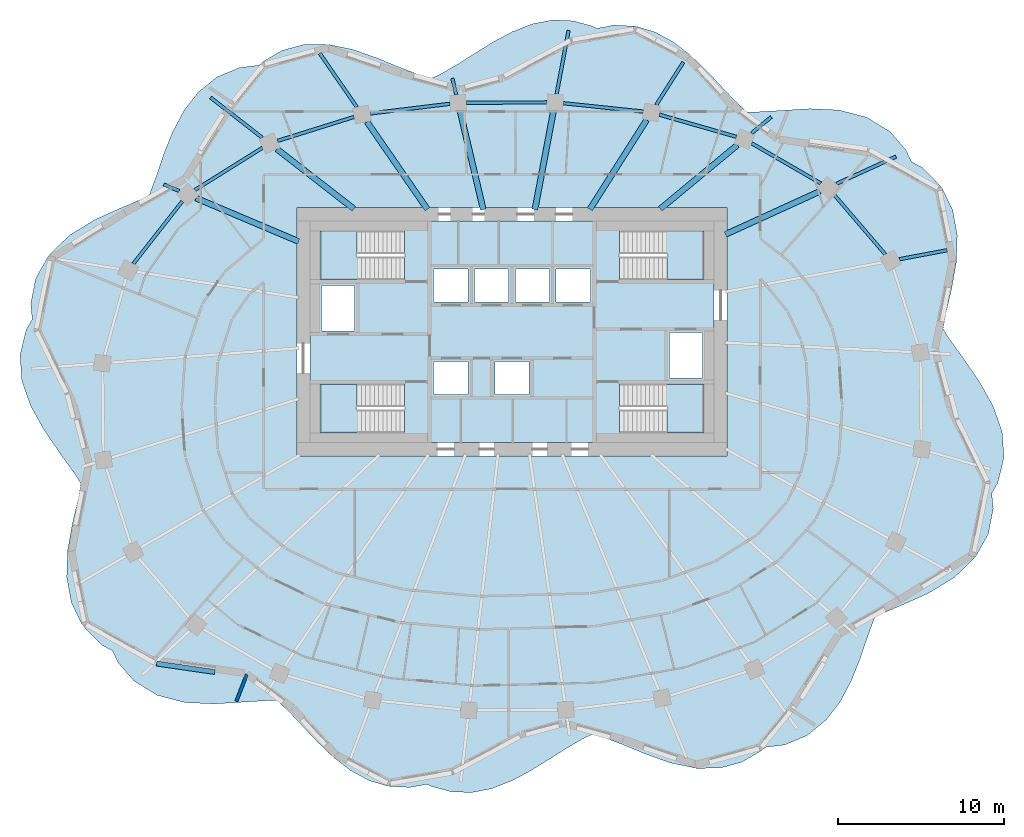
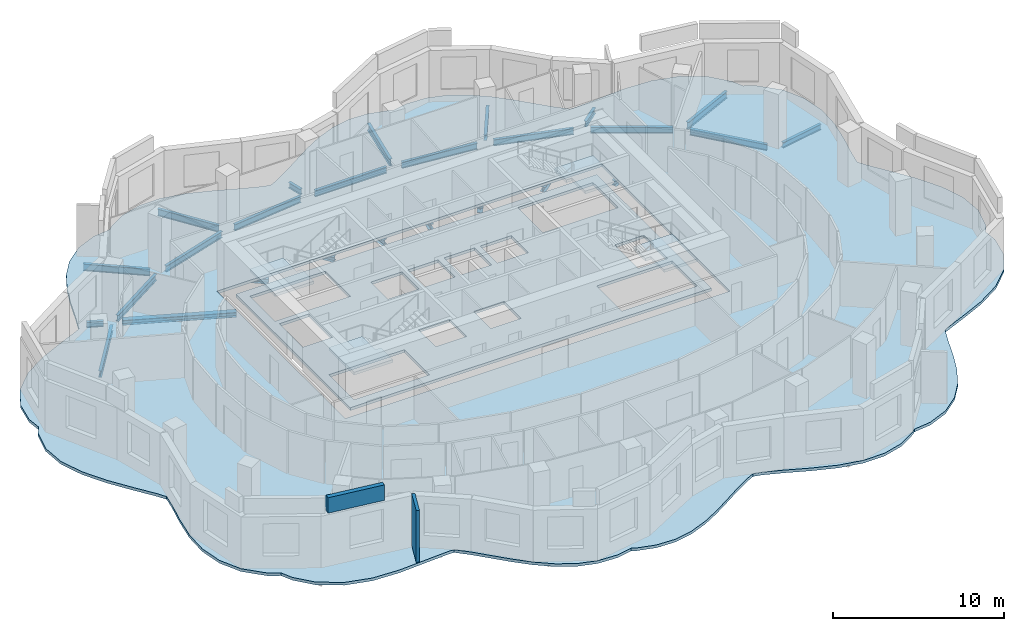
# One storey, part 2 of 11: 26 beams, 6 slabs, 2 walls, 4 elements without a shape of their own.
"""IFC4 building model written with IfcOpenShell, lengths in metres."""

from ifc_helpers import new_model, si_unit, direction, frame, frame_2d, origin, origin_2d, place, context, subcontext, project, spatial, polyline, rectangle, i_section, outline, extrude, material, layer, layer_set, material_profile, profile_set, type_object, element, aggregate, save


model = new_model("IFC4")

# Units and contexts
model_context = context("Model", 3, precision=1e-05, world=origin(), true_north=direction((0.0, 1.0)))
body_context = subcontext(model_context, "Body", "Model", "MODEL_VIEW")
ifc_project = project(units=[si_unit("LENGTHUNIT", "METRE"), si_unit("AREAUNIT", "SQUARE_METRE"), si_unit("VOLUMEUNIT", "CUBIC_METRE"), si_unit("PLANEANGLEUNIT", "RADIAN"), si_unit("MASSUNIT", "GRAM", prefix="KILO")], contexts=[model_context])

# Site, building, storey
site_placement = place(None, origin())
site = spatial("IfcSite", under=ifc_project, at=site_placement, CompositionType="ELEMENT")
building_placement = place(site_placement, origin())
building = spatial("IfcBuilding", under=site, at=building_placement, Name="Rubra Terraces Tower", CompositionType="ELEMENT")
storey_placement = place(building_placement, frame((0.0, 0.0, 237.0)))
storey = spatial("IfcBuildingStorey", under=building, at=storey_placement, Name="L58", CompositionType="ELEMENT", Elevation=237.0)

# Beams
ifc_material_1 = material(Name="Steel Q355B", Category="steel")
ifc_material_profile_1 = material_profile(ifc_material_1, i_section(OverallWidth=0.199951171875, OverallDepth=0.39990234375, WebThickness=0.008056640625, FlangeThickness=0.012939453125, at=origin_2d()), Name="HN 400x200x8x13")
ifc_profile_set_1 = profile_set([ifc_material_profile_1], Name="Steel Q355B")
beam_type_1 = type_object("IfcBeamType", Name="CANTILEVER BEAM HN 400x200x8x13", PredefinedType="BEAM", material=ifc_profile_set_1)
beam_1_placement = place(storey_placement, frame((23.39794921875, 8.884033203125, -0.39990234375), z_axis=(0.982856170911, 0.184373933356, 0.0), x_axis=(-0.184373933356, 0.982856170911, 0.0)))
element("IfcBeam", 1, at=beam_1_placement, inside=storey, type_object=beam_type_1, Name="beam-L58-cant-02", PredefinedType="BEAM", context=body_context, shape_type="SweptSolid", body=[
    extrude(i_section(OverallWidth=0.199951171875, OverallDepth=0.39990234375, WebThickness=0.008056640625, FlangeThickness=0.012939453125, at=origin_2d()), origin(), (0.0, 0.0, 1.0), 2.934326171875),
])
beam_2_placement = place(storey_placement, frame((14.47509765625, 16.4951171875, -0.39990234375), z_axis=(0.769894720429, 0.638170917119, 0.0), x_axis=(-0.638170917119, 0.769894720429, 0.0)))
element("IfcBeam", 2, at=beam_2_placement, inside=storey, type_object=beam_type_1, Name="beam-L58-cant-04", PredefinedType="BEAM", context=body_context, shape_type="SweptSolid", body=[
    extrude(i_section(OverallWidth=0.199951171875, OverallDepth=0.39990234375, WebThickness=0.008056640625, FlangeThickness=0.012939453125, at=origin_2d()), origin(), (0.0, 0.0, 1.0), 1.540283203125),
])
beam_3_placement = place(storey_placement, frame((8.7099609375, 18.201904296875, -0.39990234375), z_axis=(0.536555231363, 0.843865204696, 0.0), x_axis=(-0.843865204696, 0.536555231363, 0.0)))
element("IfcBeam", 3, at=beam_3_placement, inside=storey, type_object=beam_type_1, Name="beam-L58-cant-05", PredefinedType="BEAM", context=body_context, shape_type="SweptSolid", body=[
    extrude(i_section(OverallWidth=0.199951171875, OverallDepth=0.39990234375, WebThickness=0.008056640625, FlangeThickness=0.012939453125, at=origin_2d()), origin(), (0.0, 0.0, 1.0), 3.05859375),
])
ifc_material_profile_2 = material_profile(ifc_material_1, i_section(OverallWidth=0.198974609375, OverallDepth=0.49609375, WebThickness=0.009033203125, FlangeThickness=0.013916015625, at=origin_2d()), Name="HN 496x199x9x14")
ifc_profile_set_2 = profile_set([ifc_material_profile_2], Name="Steel Q355B")
beam_type_2 = type_object("IfcBeamType", Name="CANTILEVER BEAM HN 496x199x9x14", PredefinedType="BEAM", material=ifc_profile_set_2)
beam_4_placement = place(storey_placement, frame((19.596923828125, 13.43896484375, -0.447998046875), z_axis=(0.909745347317, 0.415166717157, 0.0), x_axis=(-0.415166717157, 0.909745347317, 0.0)))
element("IfcBeam", 4, at=beam_4_placement, inside=storey, type_object=beam_type_2, Name="beam-L58-cant-03", PredefinedType="BEAM", context=body_context, shape_type="SweptSolid", body=[
    extrude(i_section(OverallWidth=0.198974609375, OverallDepth=0.49609375, WebThickness=0.009033203125, FlangeThickness=0.013916015625, at=origin_2d()), origin(), (0.0, 0.0, 1.0), 3.950439453125),
])
beam_5_placement = place(storey_placement, frame((2.695068359375, 18.85400390625, -0.447998046875), z_axis=(0.184533441982, 0.982826235298, 0.0), x_axis=(-0.982826235298, 0.184533441982, 0.0)))
element("IfcBeam", 5, at=beam_5_placement, inside=storey, type_object=beam_type_2, Name="beam-L58-cant-06", PredefinedType="BEAM", context=body_context, shape_type="SweptSolid", body=[
    extrude(i_section(OverallWidth=0.198974609375, OverallDepth=0.49609375, WebThickness=0.009033203125, FlangeThickness=0.013916015625, at=origin_2d()), origin(), (0.0, 0.0, 1.0), 3.912109375),
])
beam_6_placement = place(storey_placement, frame((-9.3701171875, 18.070068359375, -0.447998046875), z_axis=(-0.568216621414, 0.822879013676, 0.0), x_axis=(-0.822879013676, -0.568216621414, 0.0)))
element("IfcBeam", 6, at=beam_6_placement, inside=storey, type_object=beam_type_2, Name="beam-L58-cant-08", PredefinedType="BEAM", context=body_context, shape_type="SweptSolid", body=[
    extrude(i_section(OverallWidth=0.198974609375, OverallDepth=0.49609375, WebThickness=0.009033203125, FlangeThickness=0.013916015625, at=origin_2d()), origin(), (0.0, 0.0, 1.0), 3.95068359375),
])
beam_7_placement = place(storey_placement, frame((-15.087890625, 16.22705078125, -0.447998046875), z_axis=(-0.789618379303, 0.61359825217, 0.0), x_axis=(-0.61359825217, -0.789618379303, 0.0)))
element("IfcBeam", 7, at=beam_7_placement, inside=storey, type_object=beam_type_2, Name="beam-L58-cant-09", PredefinedType="BEAM", context=body_context, shape_type="SweptSolid", body=[
    extrude(i_section(OverallWidth=0.198974609375, OverallDepth=0.49609375, WebThickness=0.009033203125, FlangeThickness=0.013916015625, at=origin_2d()), origin(), (0.0, 0.0, 1.0), 3.9501953125),
])
ifc_material_profile_3 = material_profile(ifc_material_1, i_section(OverallWidth=0.199951171875, OverallDepth=0.39990234375, WebThickness=0.008056640625, FlangeThickness=0.012939453125, at=origin_2d()), Name="HN 400x200x8x13")
ifc_profile_set_3 = profile_set([ifc_material_profile_3], Name="Steel Q355B")
beam_type_3 = type_object("IfcBeamType", Name="CANTILEVER STUB HN 400x200x8x13", PredefinedType="BEAM", material=ifc_profile_set_3)
beam_8_placement = place(storey_placement, frame((-3.3701171875, 18.823974609375, -0.39990234375), z_axis=(-0.228798709465, 0.973473754421, 0.0), x_axis=(-0.973473754421, -0.228798709465, 0.0)))
element("IfcBeam", 8, at=beam_8_placement, inside=storey, type_object=beam_type_3, Name="beam-L58-cant-07", PredefinedType="BEAM", context=body_context, shape_type="SweptSolid", body=[
    extrude(i_section(OverallWidth=0.199951171875, OverallDepth=0.39990234375, WebThickness=0.008056640625, FlangeThickness=0.012939453125, at=origin_2d()), origin(), (0.0, 0.0, 1.0), 1.01806640625),
])
beam_9_placement = place(storey_placement, frame((-20.10205078125, 13.0048828125, -0.39990234375), z_axis=(-0.920750248857, 0.390152507654, 0.0), x_axis=(-0.390152507654, -0.920750248857, 0.0)))
element("IfcBeam", 9, at=beam_9_placement, inside=storey, type_object=beam_type_3, Name="beam-L58-cant-10", PredefinedType="BEAM", context=body_context, shape_type="SweptSolid", body=[
    extrude(i_section(OverallWidth=0.199951171875, OverallDepth=0.39990234375, WebThickness=0.008056640625, FlangeThickness=0.012939453125, at=origin_2d()), origin(), (0.0, 0.0, 1.0), 1.010009765625),
])
ifc_material_profile_4 = material_profile(ifc_material_1, i_section(OverallWidth=0.35009765625, OverallDepth=0.35009765625, WebThickness=0.011962890625, FlangeThickness=0.01904296875, at=origin_2d()), Name="HW 350x350x12x19")
ifc_profile_set_4 = profile_set([ifc_material_profile_4], Name="Steel Q355B")
beam_type_4 = type_object("IfcBeamType", Name="FLOOR BEAM HW 350x350x12x19", PredefinedType="BEAM", material=ifc_profile_set_4)
beam_10_placement = place(storey_placement, frame((18.5869140625, 12.97900390625, -0.375), z_axis=(-0.909756526533, -0.415142219523, 0.0), x_axis=(0.415142219523, -0.909756526533, 0.0)))
element("IfcBeam", 10, at=beam_10_placement, inside=storey, type_object=beam_type_4, Name="beam-L58-floor-03", PredefinedType="BEAM", context=body_context, shape_type="SweptSolid", body=[
    extrude(i_section(OverallWidth=0.35009765625, OverallDepth=0.35009765625, WebThickness=0.011962890625, FlangeThickness=0.01904296875, at=origin_2d()), origin(), (0.0, 0.0, 1.0), 6.2607421875),
])
beam_11_placement = place(storey_placement, frame((13.60888671875, 15.777099609375, -0.375), z_axis=(-0.769987518392, -0.638058948312, 0.0), x_axis=(0.638058948312, -0.769987518392, 0.0)))
element("IfcBeam", 11, at=beam_11_placement, inside=storey, type_object=beam_type_4, Name="beam-L58-floor-04", PredefinedType="BEAM", context=body_context, shape_type="SweptSolid", body=[
    extrude(i_section(OverallWidth=0.35009765625, OverallDepth=0.35009765625, WebThickness=0.011962890625, FlangeThickness=0.01904296875, at=origin_2d()), origin(), (0.0, 0.0, 1.0), 6.040283203125),
])
beam_12_placement = place(storey_placement, frame((8.134033203125, 17.2958984375, -0.375), z_axis=(-0.536509861106, -0.843894050776, 0.0), x_axis=(0.843894050776, -0.536509861106, 0.0)))
element("IfcBeam", 12, at=beam_12_placement, inside=storey, type_object=beam_type_4, Name="beam-L58-floor-05", PredefinedType="BEAM", context=body_context, shape_type="SweptSolid", body=[
    extrude(i_section(OverallWidth=0.35009765625, OverallDepth=0.35009765625, WebThickness=0.011962890625, FlangeThickness=0.01904296875, at=origin_2d()), origin(), (0.0, 0.0, 1.0), 6.395263671875),
])
beam_13_placement = place(storey_placement, frame((2.509033203125, 17.862060546875, -0.375), z_axis=(-0.184574398021, -0.982818544593, 0.0), x_axis=(0.982818544593, -0.184574398021, 0.0)))
element("IfcBeam", 13, at=beam_13_placement, inside=storey, type_object=beam_type_4, Name="beam-L58-floor-06", PredefinedType="BEAM", context=body_context, shape_type="SweptSolid", body=[
    extrude(i_section(OverallWidth=0.35009765625, OverallDepth=0.35009765625, WebThickness=0.011962890625, FlangeThickness=0.01904296875, at=origin_2d()), origin(), (0.0, 0.0, 1.0), 6.08447265625),
])
beam_14_placement = place(storey_placement, frame((-3.137939453125, 17.8359375, -0.375), z_axis=(0.229070485592, -0.973409837957, 0.0), x_axis=(0.973409837957, 0.229070485592, 0.0)))
element("IfcBeam", 14, at=beam_14_placement, inside=storey, type_object=beam_type_4, Name="beam-L58-floor-07", PredefinedType="BEAM", context=body_context, shape_type="SweptSolid", body=[
    extrude(i_section(OverallWidth=0.35009765625, OverallDepth=0.35009765625, WebThickness=0.011962890625, FlangeThickness=0.01904296875, at=origin_2d()), origin(), (0.0, 0.0, 1.0), 6.115478515625),
])
beam_15_placement = place(storey_placement, frame((-8.756103515625, 17.179931640625, -0.375), z_axis=(0.568186422001, -0.822899866238, 0.0), x_axis=(0.822899866238, 0.568186422001, 0.0)))
element("IfcBeam", 15, at=beam_15_placement, inside=storey, type_object=beam_type_4, Name="beam-L58-floor-08", PredefinedType="BEAM", context=body_context, shape_type="SweptSolid", body=[
    extrude(i_section(OverallWidth=0.35009765625, OverallDepth=0.35009765625, WebThickness=0.011962890625, FlangeThickness=0.01904296875, at=origin_2d()), origin(), (0.0, 0.0, 1.0), 6.415283203125),
])
beam_16_placement = place(storey_placement, frame((-14.197998046875, 15.534912109375, -0.375), z_axis=(0.789548898228, -0.613687654517, 0.0), x_axis=(0.613687654517, 0.789548898228, 0.0)))
element("IfcBeam", 16, at=beam_16_placement, inside=storey, type_object=beam_type_4, Name="beam-L58-floor-09", PredefinedType="BEAM", context=body_context, shape_type="SweptSolid", body=[
    extrude(i_section(OverallWidth=0.35009765625, OverallDepth=0.35009765625, WebThickness=0.011962890625, FlangeThickness=0.01904296875, at=origin_2d()), origin(), (0.0, 0.0, 1.0), 5.880615234375),
])
beam_17_placement = place(storey_placement, frame((-19.083984375, 12.574951171875, -0.375), z_axis=(0.92097476483, -0.38962223056, 0.0), x_axis=(0.38962223056, 0.92097476483, 0.0)))
element("IfcBeam", 17, at=beam_17_placement, inside=storey, type_object=beam_type_4, Name="beam-L58-floor-10", PredefinedType="BEAM", context=body_context, shape_type="SweptSolid", body=[
    extrude(i_section(OverallWidth=0.35009765625, OverallDepth=0.35009765625, WebThickness=0.011962890625, FlangeThickness=0.01904296875, at=origin_2d()), origin(), (0.0, 0.0, 1.0), 6.7265625),
])
ifc_material_profile_5 = material_profile(ifc_material_1, i_section(OverallWidth=0.198974609375, OverallDepth=0.446044921875, WebThickness=0.008056640625, FlangeThickness=0.011962890625, at=origin_2d()), Name="HN 446x199x8x12")
ifc_profile_set_5 = profile_set([ifc_material_profile_5], Name="Steel Q355B")
beam_type_5 = type_object("IfcBeamType", Name="SPANDREL BEAM HN 446x199x8x12", PredefinedType="SPANDREL", material=ifc_profile_set_5)
beam_18_placement = place(storey_placement, frame((22.547119140625, 9.174072265625, -0.423095703125), z_axis=(-0.650372836218, 0.759615148552, 0.0), x_axis=(-0.759615148552, -0.650372836218, 0.0)))
element("IfcBeam", 18, at=beam_18_placement, inside=storey, type_object=beam_type_5, Name="beam-L58-spandrel-02", PredefinedType="SPANDREL", context=body_context, shape_type="SweptSolid", body=[
    extrude(i_section(OverallWidth=0.198974609375, OverallDepth=0.446044921875, WebThickness=0.008056640625, FlangeThickness=0.011962890625, at=origin_2d()), origin(), (0.0, 0.0, 1.0), 4.804931640625),
])
beam_19_placement = place(storey_placement, frame((18.653076171875, 13.462890625, -0.423095703125), z_axis=(-0.865153680787, 0.501506838059, 0.0), x_axis=(-0.501506838059, -0.865153680787, 0.0)))
element("IfcBeam", 19, at=beam_19_placement, inside=storey, type_object=beam_type_5, Name="beam-L58-spandrel-03", PredefinedType="SPANDREL", context=body_context, shape_type="SweptSolid", body=[
    extrude(i_section(OverallWidth=0.198974609375, OverallDepth=0.446044921875, WebThickness=0.008056640625, FlangeThickness=0.011962890625, at=origin_2d()), origin(), (0.0, 0.0, 1.0), 4.82568359375),
])
beam_20_placement = place(storey_placement, frame((13.55810546875, 16.27490234375, -0.423095703125), z_axis=(-0.961171164323, 0.275952881621, 0.0), x_axis=(-0.275952881621, -0.961171164323, 0.0)))
element("IfcBeam", 20, at=beam_20_placement, inside=storey, type_object=beam_type_5, Name="beam-L58-spandrel-04", PredefinedType="SPANDREL", context=body_context, shape_type="SweptSolid", body=[
    extrude(i_section(OverallWidth=0.198974609375, OverallDepth=0.446044921875, WebThickness=0.008056640625, FlangeThickness=0.011962890625, at=origin_2d()), origin(), (0.0, 0.0, 1.0), 4.842041015625),
])
beam_21_placement = place(storey_placement, frame((7.923095703125, 17.801025390625, -0.423095703125), z_axis=(-0.994565426955, 0.104113454971, 0.0), x_axis=(-0.104113454971, -0.994565426955, 0.0)))
element("IfcBeam", 21, at=beam_21_placement, inside=storey, type_object=beam_type_5, Name="beam-L58-spandrel-05", PredefinedType="SPANDREL", context=body_context, shape_type="SweptSolid", body=[
    extrude(i_section(OverallWidth=0.198974609375, OverallDepth=0.446044921875, WebThickness=0.008056640625, FlangeThickness=0.011962890625, at=origin_2d()), origin(), (0.0, 0.0, 1.0), 4.849365234375),
])
beam_22_placement = place(storey_placement, frame((2.10107421875, 18.35595703125, -0.423095703125), z_axis=(-0.999987852299, -0.004929021704, 0.0), x_axis=(0.004929021704, -0.999987852299, 0.0)))
element("IfcBeam", 22, at=beam_22_placement, inside=storey, type_object=beam_type_5, Name="beam-L58-spandrel-06", PredefinedType="SPANDREL", context=body_context, shape_type="SweptSolid", body=[
    extrude(i_section(OverallWidth=0.198974609375, OverallDepth=0.446044921875, WebThickness=0.008056640625, FlangeThickness=0.011962890625, at=origin_2d()), origin(), (0.0, 0.0, 1.0), 4.85400390625),
])
beam_23_placement = place(storey_placement, frame((-3.7509765625, 18.27001953125, -0.423095703125), z_axis=(-0.992698018573, -0.120626049929, 0.0), x_axis=(0.120626049929, -0.992698018573, 0.0)))
element("IfcBeam", 23, at=beam_23_placement, inside=storey, type_object=beam_type_5, Name="beam-L58-spandrel-07", PredefinedType="SPANDREL", context=body_context, shape_type="SweptSolid", body=[
    extrude(i_section(OverallWidth=0.198974609375, OverallDepth=0.446044921875, WebThickness=0.008056640625, FlangeThickness=0.011962890625, at=origin_2d()), origin(), (0.0, 0.0, 1.0), 4.849365234375),
])
beam_24_placement = place(storey_placement, frame((-9.5419921875, 17.47509765625, -0.423095703125), z_axis=(-0.954462027342, -0.298332429282, 0.0), x_axis=(0.298332429282, -0.954462027342, 0.0)))
element("IfcBeam", 24, at=beam_24_placement, inside=storey, type_object=beam_type_5, Name="beam-L58-spandrel-08", PredefinedType="SPANDREL", context=body_context, shape_type="SweptSolid", body=[
    extrude(i_section(OverallWidth=0.198974609375, OverallDepth=0.446044921875, WebThickness=0.008056640625, FlangeThickness=0.011962890625, at=origin_2d()), origin(), (0.0, 0.0, 1.0), 4.840576171875),
])
beam_25_placement = place(storey_placement, frame((-15.071044921875, 15.614013671875, -0.423095703125), z_axis=(-0.848183088492, -0.529703170083, 0.0), x_axis=(0.529703170083, -0.848183088492, 0.0)))
element("IfcBeam", 25, at=beam_25_placement, inside=storey, type_object=beam_type_5, Name="beam-L58-spandrel-09", PredefinedType="SPANDREL", context=body_context, shape_type="SweptSolid", body=[
    extrude(i_section(OverallWidth=0.198974609375, OverallDepth=0.446044921875, WebThickness=0.008056640625, FlangeThickness=0.011962890625, at=origin_2d()), origin(), (0.0, 0.0, 1.0), 4.8232421875),
])
beam_26_placement = place(storey_placement, frame((-19.906005859375, 12.39111328125, -0.423095703125), z_axis=(-0.617060338015, -0.786915840004, 0.0), x_axis=(0.786915840004, -0.617060338015, 0.0)))
element("IfcBeam", 26, at=beam_26_placement, inside=storey, type_object=beam_type_5, Name="beam-L58-spandrel-10", PredefinedType="SPANDREL", context=body_context, shape_type="SweptSolid", body=[
    extrude(i_section(OverallWidth=0.198974609375, OverallDepth=0.446044921875, WebThickness=0.008056640625, FlangeThickness=0.011962890625, at=origin_2d()), origin(), (0.0, 0.0, 1.0), 4.8037109375),
])

# Slab
ifc_material_2 = material(Name="Concrete C40", Category="concrete")
ifc_layer_1 = layer(ifc_material_2, 0.199951171875)
ifc_layer_set_1 = layer_set([ifc_layer_1], Name="Concrete C40")
slab_type_1 = type_object("IfcSlabType", Name="Core floor slab 200 concrete", PredefinedType="FLOOR", material=ifc_layer_set_1)
slab_1_placement = place(storey_placement, frame((0.0, 0.0, -0.199951171875)))
element("IfcSlab", 27, at=slab_1_placement, inside=storey, type_object=slab_type_1, Name="CORE FLOOR SLAB L58", PredefinedType="FLOOR", context=body_context, shape_type="SweptSolid", body=[
    extrude(outline(polyline([(-12.199951171875, -2.199951171875), (-12.199951171875, 11.199951171875), (12.199951171875, 11.199951171875), (12.199951171875, -2.199951171875), (-12.199951171875, -2.199951171875)]), holes=[polyline([(11.597900390625, 1.347900390625), (6.501953125, 1.347900390625), (6.501953125, -1.597900390625), (11.597900390625, -1.597900390625), (11.597900390625, 1.347900390625)]), polyline([(11.597900390625, 7.652099609375), (11.597900390625, 10.597900390625), (6.501953125, 10.597900390625), (6.501953125, 7.652099609375), (11.597900390625, 7.652099609375)]), polyline([(9.5, 1.699951171875), (11.5, 1.699951171875), (11.5, 4.449951171875), (9.5, 4.449951171875), (9.5, 1.699951171875)]), polyline([(4.75, 6.300048828125), (4.75, 8.300048828125), (2.64990234375, 8.300048828125), (2.64990234375, 6.300048828125), (4.75, 6.300048828125)]), polyline([(2.25, 8.300048828125), (0.199951171875, 8.300048828125), (0.199951171875, 6.300048828125), (2.25, 6.300048828125), (2.25, 8.300048828125)]), polyline([(1.02490234375, 0.699951171875), (1.02490234375, 2.699951171875), (-1.02490234375, 2.699951171875), (-1.02490234375, 0.699951171875), (1.02490234375, 0.699951171875)]), polyline([(-0.199951171875, 6.300048828125), (-0.199951171875, 8.300048828125), (-2.25, 8.300048828125), (-2.25, 6.300048828125), (-0.199951171875, 6.300048828125)]), polyline([(-4.75, 8.300048828125), (-4.75, 6.300048828125), (-2.64990234375, 6.300048828125), (-2.64990234375, 8.300048828125), (-4.75, 8.300048828125)]), polyline([(-2.64990234375, 0.699951171875), (-2.64990234375, 2.699951171875), (-4.75, 2.699951171875), (-4.75, 0.699951171875), (-2.64990234375, 0.699951171875)]), polyline([(-11.597900390625, -1.597900390625), (-6.501953125, -1.597900390625), (-6.501953125, 1.347900390625), (-11.597900390625, 1.347900390625), (-11.597900390625, -1.597900390625)]), polyline([(-11.597900390625, 10.597900390625), (-11.597900390625, 7.652099609375), (-6.501953125, 7.652099609375), (-6.501953125, 10.597900390625), (-11.597900390625, 10.597900390625)]), polyline([(-9.5, 4.550048828125), (-9.5, 7.300048828125), (-11.5, 7.300048828125), (-11.5, 4.550048828125), (-9.5, 4.550048828125)])]), origin(), (0.0, 0.0, 1.0), 0.199951171875),
])

# Stair, slab
stair_type = type_object("IfcStairType", Name="Core stair 1400", PredefinedType="HALF_TURN_STAIR", material=ifc_material_2)
stair_1_placement = place(storey_placement, origin())
stair_1 = element("IfcStair", 28, at=stair_1_placement, inside=storey, type_object=stair_type, Name="L58 Exit stair S1", PredefinedType="HALF_TURN_STAIR")
ifc_layer_2 = layer(ifc_material_2, 0.199951171875)
ifc_layer_set_2 = layer_set([ifc_layer_2], Name="Concrete C40")
slab_type_2 = type_object("IfcSlabType", Name="Core stair landing 200", PredefinedType="LANDING", material=ifc_layer_set_2)
slab_2_placement = place(storey_placement, frame((0.0, 0.0, 1.75)))
slab_2 = element("IfcSlab", 29, at=slab_2_placement, type_object=slab_type_2, Name="S1 landing 1", PredefinedType="LANDING", context=body_context, shape_type="SweptSolid", body=[
    extrude(outline(polyline([(-8.97998046875, -0.199951171875), (-8.97998046875, -1.60009765625), (-9.360107421875, -1.60009765625), (-9.3798828125, -1.60009765625), (-11.60009765625, -1.60009765625), (-11.60009765625, 1.35009765625), (-9.3798828125, 1.35009765625), (-9.35791015625, 1.35009765625), (-9.35791015625, -0.050048828125), (-9.360107421875, -0.050048828125), (-9.360107421875, -0.199951171875), (-8.97998046875, -0.199951171875)])), origin(), (0.0, 0.0, 1.0), 0.199951171875),
])
aggregate(stair_1, [slab_2])

stair_2_placement = place(storey_placement, origin())
stair_2 = element("IfcStair", 30, at=stair_2_placement, inside=storey, type_object=stair_type, Name="L58 Exit stair S2", PredefinedType="HALF_TURN_STAIR")
slab_3_placement = place(storey_placement, frame((0.0, 0.0, 1.75)))
slab_3 = element("IfcSlab", 31, at=slab_3_placement, type_object=slab_type_2, Name="S2 landing 1", PredefinedType="LANDING", context=body_context, shape_type="SweptSolid", body=[
    extrude(outline(polyline([(-8.97998046875, 9.050048828125), (-8.97998046875, 7.64990234375), (-9.3798828125, 7.64990234375), (-11.60009765625, 7.64990234375), (-11.60009765625, 10.60009765625), (-9.3798828125, 10.60009765625), (-9.360107421875, 10.60009765625), (-9.35791015625, 10.60009765625), (-9.35791015625, 9.199951171875), (-9.360107421875, 9.199951171875), (-9.360107421875, 9.050048828125), (-8.97998046875, 9.050048828125)])), origin(), (0.0, 0.0, 1.0), 0.199951171875),
])
aggregate(stair_2, [slab_3])

stair_3_placement = place(storey_placement, origin())
stair_3 = element("IfcStair", 32, at=stair_3_placement, inside=storey, type_object=stair_type, Name="L58 Exit stair S3", PredefinedType="HALF_TURN_STAIR")
slab_4_placement = place(storey_placement, frame((0.0, 0.0, 1.75)))
slab_4 = element("IfcSlab", 33, at=slab_4_placement, type_object=slab_type_2, Name="S3 landing 1", PredefinedType="LANDING", context=body_context, shape_type="SweptSolid", body=[
    extrude(outline(polyline([(9.360107421875, 9.050048828125), (9.360107421875, 9.199951171875), (8.97998046875, 9.199951171875), (8.97998046875, 10.60009765625), (9.360107421875, 10.60009765625), (9.3798828125, 10.60009765625), (11.60009765625, 10.60009765625), (11.60009765625, 7.64990234375), (9.3798828125, 7.64990234375), (9.35791015625, 7.64990234375), (9.35791015625, 9.050048828125), (9.360107421875, 9.050048828125)])), origin(), (0.0, 0.0, 1.0), 0.199951171875),
])
aggregate(stair_3, [slab_4])

stair_4_placement = place(storey_placement, origin())
stair_4 = element("IfcStair", 34, at=stair_4_placement, inside=storey, type_object=stair_type, Name="L58 Exit stair S4", PredefinedType="HALF_TURN_STAIR")
slab_5_placement = place(storey_placement, frame((0.0, 0.0, 1.75)))
slab_5 = element("IfcSlab", 35, at=slab_5_placement, type_object=slab_type_2, Name="S4 landing 1", PredefinedType="LANDING", context=body_context, shape_type="SweptSolid", body=[
    extrude(outline(polyline([(9.360107421875, -0.199951171875), (9.360107421875, -0.050048828125), (8.97998046875, -0.050048828125), (8.97998046875, 1.35009765625), (9.360107421875, 1.35009765625), (9.3798828125, 1.35009765625), (11.60009765625, 1.35009765625), (11.60009765625, -1.60009765625), (9.3798828125, -1.60009765625), (9.360107421875, -1.60009765625), (9.35791015625, -1.60009765625), (9.35791015625, -0.199951171875), (9.360107421875, -0.199951171875)])), origin(), (0.0, 0.0, 1.0), 0.199951171875),
])
aggregate(stair_4, [slab_5])

# Slab
ifc_layer_3 = layer(ifc_material_2, 0.199951171875)
ifc_layer_set_3 = layer_set([ifc_layer_3], Name="Concrete C40")
slab_type_3 = type_object("IfcSlabType", Name="FLOOR SLAB 200 COMPOSITE", PredefinedType="FLOOR", material=ifc_layer_set_3)
slab_6_placement = place(storey_placement, frame((0.0, 0.0, -0.199951171875)))
element("IfcSlab", 36, at=slab_6_placement, inside=storey, type_object=slab_type_3, Name="FLOOR SLAB L58", PredefinedType="FLOOR", context=body_context, shape_type="SweptSolid", body=[
    extrude(outline(polyline([(15.10009765625, -20.782958984375), (15.297119140625, -20.60009765625), (16.469970703125, -20.4541015625), (17.81298828125, -19.89404296875), (18.964111328125, -18.964111328125), (19.81591796875, -17.863037109375), (20.489013671875, -16.59912109375), (21.01904296875, -15.27099609375), (21.498046875, -13.864990234375), (21.919921875, -12.72900390625), (22.05810546875, -12.64990234375), (23.56298828125, -12.006103515625), (25.175048828125, -11.283935546875), (26.72509765625, -10.337890625), (28.0, -9.097900390625), (28.77099609375, -7.715087890625), (29.072021484375, -6.176025390625), (28.97998046875, -5.259033203125), (29.337890625, -4.64697265625), (29.717041015625, -3.10107421875), (29.60595703125, -1.52587890625), (29.06689453125, 0.0), (28.240966796875, 1.47998046875), (27.278076171875, 2.87890625), (26.34912109375, 4.173095703125), (26.041015625, 4.68603515625), (26.18994140625, 5.527099609375), (26.551025390625, 7.068115234375), (26.843994140625, 8.721923828125), (26.89794921875, 10.322021484375), (26.618896484375, 11.860107421875), (25.9541015625, 13.22412109375), (24.791015625, 14.4169921875), (24.135986328125, 14.76708984375), (23.7900390625, 15.491943359375), (22.839111328125, 16.593017578125), (21.4150390625, 17.4619140625), (19.748046875, 17.89501953125), (17.97607421875, 17.97607421875), (16.18408203125, 17.864013671875), (14.509033203125, 17.763916015625), (14.173095703125, 17.787109375), (13.430908203125, 18.487060546875), (12.596923828125, 19.3779296875), (11.72509765625, 20.303955078125), (10.798095703125, 21.19189453125), (9.7509765625, 22.001953125), (8.634033203125, 22.60888671875), (7.4599609375, 22.958984375), (6.156982421875, 23.02197265625), (5.1279296875, 22.8291015625), (4.843994140625, 22.967041015625), (3.68701171875, 23.281982421875), (2.450927734375, 23.33203125), (1.217041015625, 23.095947265625), (0.0, 22.616943359375), (-1.110107421875, 22.02294921875), (-2.2041015625, 21.34912109375), (-3.27392578125, 20.6708984375), (-4.283935546875, 20.08203125), (-4.864013671875, 19.80908203125), (-4.2451171875, 19.64501953125), (-5.419921875, 19.9560546875), (-6.633056640625, 20.4130859375), (-8.09912109375, 21.01806640625), (-9.613037109375, 21.552001953125), (-11.14208984375, 21.866943359375), (-12.552978515625, 21.85595703125), (-13.886962890625, 21.4951171875), (-15.10009765625, 20.782958984375), (-15.297119140625, 20.60009765625), (-16.469970703125, 20.4541015625), (-17.81298828125, 19.89404296875), (-18.964111328125, 18.964111328125), (-19.81591796875, 17.863037109375), (-20.489013671875, 16.59912109375), (-21.01904296875, 15.27099609375), (-21.498046875, 13.864990234375), (-21.919921875, 12.72900390625), (-22.05810546875, 12.64990234375), (-23.56298828125, 12.006103515625), (-25.175048828125, 11.283935546875), (-26.72509765625, 10.337890625), (-28.0, 9.097900390625), (-28.77099609375, 7.715087890625), (-29.072021484375, 6.176025390625), (-28.97998046875, 5.259033203125), (-29.337890625, 4.64697265625), (-29.717041015625, 3.10107421875), (-29.60595703125, 1.52587890625), (-29.06689453125, 0.0), (-28.240966796875, -1.47998046875), (-27.278076171875, -2.87890625), (-26.34912109375, -4.173095703125), (-26.041015625, -4.68603515625), (-26.18994140625, -5.527099609375), (-26.551025390625, -7.068115234375), (-26.843994140625, -8.721923828125), (-26.89794921875, -10.322021484375), (-26.618896484375, -11.860107421875), (-25.9541015625, -13.22412109375), (-24.791015625, -14.4169921875), (-24.135986328125, -14.76708984375), (-23.7900390625, -15.491943359375), (-22.839111328125, -16.593017578125), (-21.4150390625, -17.4619140625), (-19.748046875, -17.89501953125), (-17.97607421875, -17.97607421875), (-16.18408203125, -17.864013671875), (-14.509033203125, -17.763916015625), (-14.173095703125, -17.787109375), (-13.430908203125, -18.487060546875), (-12.596923828125, -19.3779296875), (-11.72509765625, -20.303955078125), (-10.798095703125, -21.19189453125), (-9.7509765625, -22.001953125), (-8.634033203125, -22.60888671875), (-7.4599609375, -22.958984375), (-6.156982421875, -23.02197265625), (-5.1279296875, -22.8291015625), (-4.843994140625, -22.967041015625), (-3.68701171875, -23.281982421875), (-2.450927734375, -23.33203125), (-1.217041015625, -23.095947265625), (0.0, -22.616943359375), (1.110107421875, -22.02294921875), (2.2041015625, -21.34912109375), (3.27392578125, -20.6708984375), (4.283935546875, -20.08203125), (4.864013671875, -19.80908203125), (4.2451171875, -19.64501953125), (5.419921875, -19.9560546875), (6.633056640625, -20.4130859375), (8.09912109375, -21.01806640625), (9.613037109375, -21.552001953125), (11.14208984375, -21.866943359375), (12.552978515625, -21.85595703125), (13.886962890625, -21.4951171875), (15.10009765625, -20.782958984375)]), holes=[polyline([(13.0, 12.0), (13.0, -3.0), (-13.0, -3.0), (-13.0, 12.0), (13.0, 12.0)])]), origin(), (0.0, 0.0, 1.0), 0.199951171875),
])

# Walls
ifc_material_3 = material(Name="Brick masonry red-brown", Category="masonry")
ifc_layer_4 = layer(ifc_material_3, 0.300048828125)
ifc_layer_set_4 = layer_set([ifc_layer_4], Name="Brick masonry red-brown")
wall_type_1 = type_object("IfcWallType", Name="Brick parapet 300", PredefinedType="PARAPET", material=ifc_layer_set_4)
wall_1_placement = place(storey_placement, frame((-21.470703125, -15.540771484375, 3.89990234375), z_axis=(0.0, 0.0, 1.0), x_axis=(0.989713234374, -0.143065417571, 0.0)))
element("IfcWall", 37, at=wall_1_placement, inside=storey, type_object=wall_type_1, Name="Parapet L58 bay 25", PredefinedType="PARAPET", context=body_context, shape_type="SweptSolid", body=[
    extrude(rectangle(XDim=3.5546875, YDim=0.300048828125, at=frame_2d((1.77734375, 0.0))), origin(), (0.0, 0.0, 1.0), 1.10009765625),
])
ifc_layer_5 = layer(ifc_material_3, 0.199951171875)
ifc_layer_set_5 = layer_set([ifc_layer_5], Name="Brick masonry red-brown")
wall_type_2 = type_object("IfcWallType", Name="Brick wind fin 200", PredefinedType="SOLIDWALL", material=ifc_layer_set_5)
wall_2_placement = place(storey_placement, frame((-16.01904296875, -16.195068359375, 0.0), z_axis=(0.0, 0.0, 1.0), x_axis=(-0.362641522028, -0.931928713208, 0.0)))
element("IfcWall", 38, at=wall_2_placement, inside=storey, type_object=wall_type_2, Name="Wind fin L58 16", PredefinedType="SOLIDWALL", context=body_context, shape_type="SweptSolid", body=[
    extrude(rectangle(XDim=1.749755859375, YDim=0.199951171875, at=frame_2d((0.875, 0.0))), origin(), (0.0, 0.0, 1.0), 3.699951171875),
])

save(model, "model.ifc")
